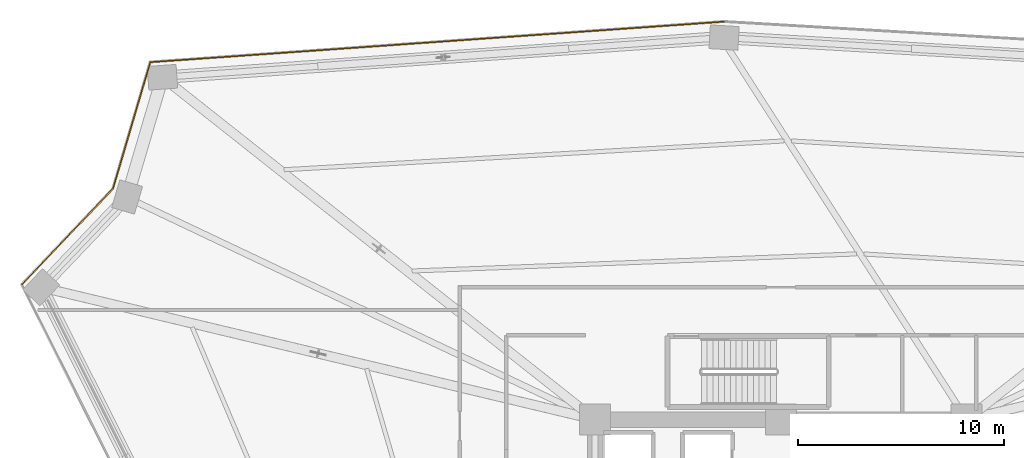
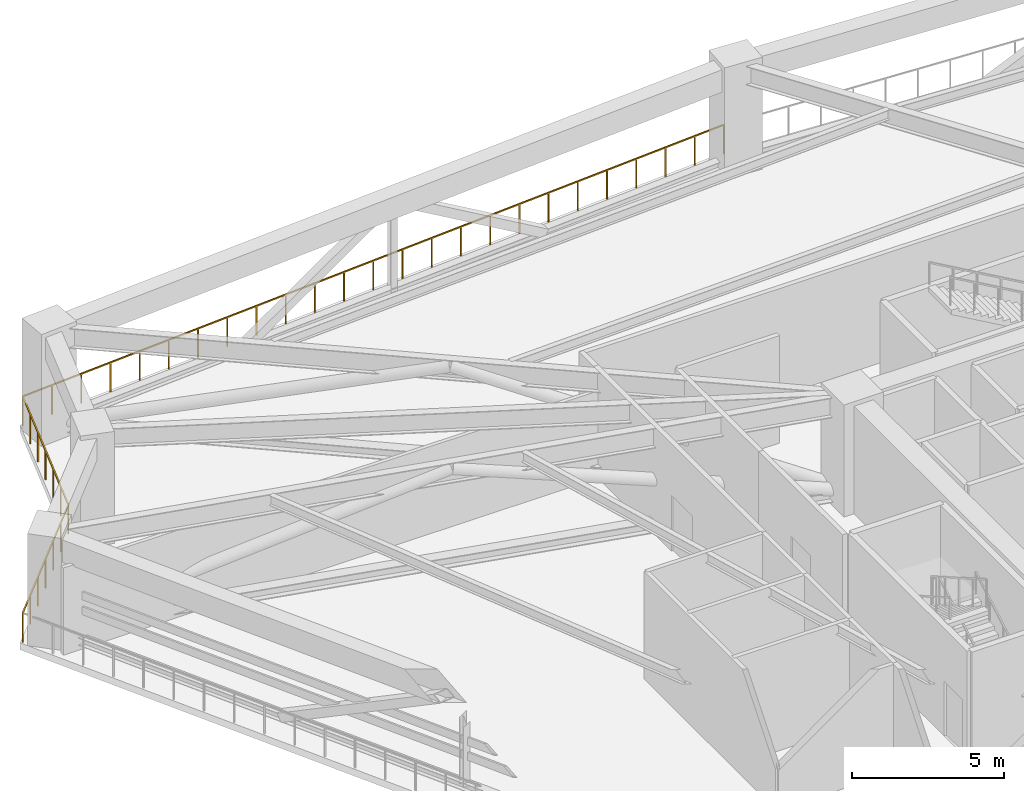
# One storey, part 21 of 23: 3 railings.
"""IFC4 building model written with IfcOpenShell, lengths in metres."""

import ifcopenshell
import ifcopenshell.guid

model = None  # the IFC model being written
_history = None  # IfcOwnerHistory: only IFC2X3 demands one
_inside = {}  # id of a spatial element -> (the spatial element, [elements in it])
_under = {}  # id of a project, library or spatial element -> (it, [spatial elements below it])
_declared = {}  # id of a project -> (the project, [libraries it declares])
_typed = {}  # id of a type object -> (the type object, [elements of that type])
_made_of = {}  # id of a material, layer set ... -> (it, [elements and type objects made of it])


def new_model(schema):
    """Start an empty IFC model of exactly this schema.

    Asked for "IFC4X3", IfcOpenShell would pick the latest addendum, in which some entities
    have other attributes; the version numbers below select the first issue.
    IFC2X3 requires an IfcOwnerHistory on every rooted entity: one is made here for all.
    """
    global model, _history
    if schema == "IFC4X3":
        model = ifcopenshell.file(schema_version=(4, 3, 0, 0))
    else:
        model = ifcopenshell.file(schema=schema)
    _inside.clear()
    _under.clear()
    _declared.clear()
    _typed.clear()
    _made_of.clear()
    _history = None
    if model.schema == "IFC2X3":
        org = make("IfcOrganization", Name="unknown")
        user = make(
            "IfcPersonAndOrganization",
            ThePerson=make("IfcPerson", FamilyName="unknown"),
            TheOrganization=org,
        )
        app = make(
            "IfcApplication",
            ApplicationDeveloper=org,
            Version="unknown",
            ApplicationFullName="unknown",
            ApplicationIdentifier="unknown",
        )
        _history = make(
            "IfcOwnerHistory",
            OwningUser=user,
            OwningApplication=app,
            ChangeAction="ADDED",
            CreationDate=0,
        )
    return model


def make(cls, **values):
    """One entity of the class cls with the attributes given. An attribute that is None is left unset."""
    return model.create_entity(
        cls, **{name: value for name, value in values.items() if value is not None}
    )


def rooted(cls, **values):
    """An entity with a GlobalId (a new one), such as an element, a storey or a relation."""
    return make(cls, GlobalId=ifcopenshell.guid.new(), OwnerHistory=_history, **values)


def si_unit(unit_type, name, prefix=None):
    """IfcSIUnit, for example si_unit("LENGTHUNIT", "METRE", prefix="MILLI")."""
    return make("IfcSIUnit", UnitType=unit_type, Prefix=prefix, Name=name)


def assignment(units):
    """IfcUnitAssignment: the units of a project."""
    return None if units is None else make("IfcUnitAssignment", Units=units)


def point(xyz):
    """IfcCartesianPoint."""
    return None if xyz is None else make("IfcCartesianPoint", Coordinates=xyz)


def direction(xyz):
    """IfcDirection."""
    return None if xyz is None else make("IfcDirection", DirectionRatios=xyz)


def frame(location, z_axis=None, x_axis=None):
    """IfcAxis2Placement3D, a coordinate frame: its origin and axes. An axis left out is left unset."""
    return make(
        "IfcAxis2Placement3D",
        Location=point(location),
        Axis=direction(z_axis),
        RefDirection=direction(x_axis),
    )


def frame_2d(location, x_axis=None):
    """IfcAxis2Placement2D, a coordinate frame in the plane: its origin and x axis."""
    return make(
        "IfcAxis2Placement2D", Location=point(location), RefDirection=direction(x_axis)
    )


def origin():
    """The frame at (0, 0, 0) with its axes left unset."""
    return frame((0.0, 0.0, 0.0))


def origin_2d():
    """The frame at (0, 0) in the plane with its x axis left unset."""
    return frame_2d((0.0, 0.0))


def place(relative_to, where):
    """IfcLocalPlacement: puts the frame where relative to a parent placement (None: the world)."""
    return make(
        "IfcLocalPlacement", PlacementRelTo=relative_to, RelativePlacement=where
    )


def context(
    kind, dimensions, precision=None, world=None, true_north=None, identifier=None
):
    """IfcGeometricRepresentationContext, for example the 3D "Model" context."""
    return make(
        "IfcGeometricRepresentationContext",
        ContextIdentifier=identifier,
        ContextType=kind,
        CoordinateSpaceDimension=dimensions,
        Precision=precision,
        WorldCoordinateSystem=world,
        TrueNorth=true_north,
    )


def subcontext(parent, identifier, kind, view, scale=None):
    """IfcGeometricRepresentationSubContext, for example "Body" below "Model"."""
    return make(
        "IfcGeometricRepresentationSubContext",
        ContextIdentifier=identifier,
        ContextType=kind,
        ParentContext=parent,
        TargetScale=scale,
        TargetView=view,
    )


def project(units=None, contexts=None):
    """IfcProject with its units and contexts."""
    return rooted(
        "IfcProject",
        Name="project",
        RepresentationContexts=contexts,
        UnitsInContext=assignment(units),
    )


def spatial(cls, under=None, at=None, **own):
    """A site, building, storey or space (cls), placed at a placement, below another one or the project."""
    s = rooted(cls, ObjectPlacement=at, **own)
    if under is not None:
        _under.setdefault(under.id(), (under, []))[1].append(s)
    return s


def profile(cls, at=None, kind="AREA", **sizes):
    """A parametric profile (cls). Its sizes go by their IFC names, for example OverallWidth=200.0."""
    return make(cls, ProfileType=kind, Position=at, **sizes)


def rectangle(**sizes):
    """IfcRectangleProfileDef."""
    return profile("IfcRectangleProfileDef", **sizes)


def extrude(swept, where, along, depth):
    """IfcExtrudedAreaSolid: the profile swept, set in the frame where, extruded along a direction by depth."""
    return make(
        "IfcExtrudedAreaSolid",
        SweptArea=swept,
        Position=where,
        ExtrudedDirection=direction(along),
        Depth=depth,
    )


def shape(context_of_items, identifier, shape_type, items):
    """IfcShapeRepresentation: the items that make up one representation, for example the "Body"."""
    return make(
        "IfcShapeRepresentation",
        ContextOfItems=context_of_items,
        RepresentationIdentifier=identifier,
        RepresentationType=shape_type,
        Items=items,
    )


def material(Name=None, Category=None):
    """IfcMaterial."""
    return make("IfcMaterial", Name=Name, Category=Category)


def made_of(thing, what):
    """Note that an element or type object is made of a material, layer set ...; save() writes the relation."""
    if what is not None:
        _made_of.setdefault(what.id(), (what, []))[1].append(thing)
    return thing


def type_object(cls, material=None, **own):
    """A type object (cls), such as IfcWallType, which elements share."""
    return made_of(rooted(cls, **own), material)


def element(
    cls,
    number,
    at=None,
    inside=None,
    cuts=None,
    type_object=None,
    material=None,
    context=None,
    identifier="Body",
    shape_type=None,
    held_by="IfcProductDefinitionShape",
    body=None,
    shapes=None,
    **own,
):
    """One element of the class cls, such as IfcWall. Its Tag is "e" and its number.

    at: its placement. inside: the storey or other place that contains it. cuts: it is an
    opening in that element (IfcRelVoidsElement). A single representation is given by context,
    identifier, shape_type and body (its items); several are given by shapes. held_by: the class
    of the entity that holds the representations. save() writes the other relations.
    """
    e = rooted(cls, Tag="e%d" % number, ObjectPlacement=at, **own)
    if body is not None:
        shapes = [shape(context, identifier, shape_type, body)]
    if shapes is not None:
        e.Representation = make(held_by, Representations=shapes)
    if inside is not None:
        _inside.setdefault(inside.id(), (inside, []))[1].append(e)
    if cuts is not None:
        rooted(
            "IfcRelVoidsElement", RelatingBuildingElement=cuts, RelatedOpeningElement=e
        )
    if type_object is not None:
        _typed.setdefault(type_object.id(), (type_object, []))[1].append(e)
    return made_of(e, material)


def aggregate(whole, parts):
    """IfcRelAggregates: a whole, such as a stair, and the parts it consists of."""
    return rooted("IfcRelAggregates", RelatingObject=whole, RelatedObjects=parts)


def save(model, path):
    """Write the relations noted so far, then the file.

    IfcRelAggregates (storeys below a building ...), IfcRelContainedInSpatialStructure (elements
    in a storey), IfcRelDefinesByType, IfcRelAssociatesMaterial and IfcRelDeclares: one each for
    every whole, place, type object, material and project.
    """
    for whole, parts in _under.values():
        aggregate(whole, parts)
    for where, things in _inside.values():
        rooted(
            "IfcRelContainedInSpatialStructure",
            RelatedElements=things,
            RelatingStructure=where,
        )
    for kind, things in _typed.values():
        rooted("IfcRelDefinesByType", RelatedObjects=things, RelatingType=kind)
    for what, things in _made_of.values():
        rooted("IfcRelAssociatesMaterial", RelatedObjects=things, RelatingMaterial=what)
    for by, libraries in _declared.values():
        rooted("IfcRelDeclares", RelatingContext=by, RelatedDefinitions=libraries)
    model.write(path)


model = new_model("IFC4")

# Units and contexts
model_context = context("Model", 3, precision=1e-05, world=origin(), true_north=direction((0.0, 1.0)))
body_context = subcontext(model_context, "Body", "Model", "MODEL_VIEW")
ifc_project = project(units=[si_unit("LENGTHUNIT", "METRE"), si_unit("AREAUNIT", "SQUARE_METRE"), si_unit("VOLUMEUNIT", "CUBIC_METRE"), si_unit("PLANEANGLEUNIT", "RADIAN"), si_unit("MASSUNIT", "GRAM", prefix="KILO")], contexts=[model_context])

# Site, building, storey
site_placement = place(None, origin())
site = spatial("IfcSite", under=ifc_project, at=site_placement, CompositionType="ELEMENT")
building_placement = place(site_placement, origin())
building = spatial("IfcBuilding", under=site, at=building_placement, Name="Liaohun Quay Tower", CompositionType="ELEMENT")
storey_placement = place(building_placement, frame((0.0, 0.0, 139.5)))
storey = spatial("IfcBuildingStorey", under=building, at=storey_placement, Name="L36", CompositionType="ELEMENT", Elevation=139.5)

# Railings
ifc_material = material(Name="Galvanised and powder-coated steel", Category="steel")
railing_type = type_object("IfcRailingType", Name="RLG-GUARD-EXT", PredefinedType="GUARDRAIL", material=ifc_material)
railing_1_placement = place(storey_placement, frame((23.239990234375, 68.048095703125, 0.0)))
element("IfcRailing", 1, at=railing_1_placement, inside=storey, type_object=railing_type, Name="L36 Open Refuge Band Perimeter Guardrail 03", PredefinedType="GUARDRAIL", context=body_context, shape_type="SweptSolid", body=[
    extrude(rectangle(XDim=0.048095703125, YDim=0.048095703125, at=origin_2d()), frame((0.0, 0.0, 1.17578125), z_axis=(0.689379523074, 0.724400354201, 0.0), x_axis=(-0.724400354201, 0.689379523074, 0.0)), (0.0, 0.0, 1.0), 6.392578125),
    extrude(rectangle(XDim=0.0419921875, YDim=0.0419921875, at=origin_2d()), origin(), (0.0, 0.0, 1.0), 1.15185546875),
    extrude(rectangle(XDim=0.0419921875, YDim=0.0419921875, at=origin_2d()), frame((0.734375, 0.771728515625, 0.0)), (0.0, 0.0, 1.0), 1.15185546875),
    extrude(rectangle(XDim=0.0419921875, YDim=0.0419921875, at=origin_2d()), frame((1.468994140625, 1.543701171875, 0.0)), (0.0, 0.0, 1.0), 1.15185546875),
    extrude(rectangle(XDim=0.0419921875, YDim=0.0419921875, at=origin_2d()), frame((2.20361328125, 2.3154296875, 0.0)), (0.0, 0.0, 1.0), 1.15185546875),
    extrude(rectangle(XDim=0.0419921875, YDim=0.0419921875, at=origin_2d()), frame((2.93798828125, 3.087158203125, 0.0)), (0.0, 0.0, 1.0), 1.15185546875),
    extrude(rectangle(XDim=0.0419921875, YDim=0.0419921875, at=origin_2d()), frame((3.67236328125, 3.859130859375, 0.0)), (0.0, 0.0, 1.0), 1.15185546875),
    extrude(rectangle(XDim=0.0419921875, YDim=0.0419921875, at=origin_2d()), frame((4.406982421875, 4.630859375, 0.0)), (0.0, 0.0, 1.0), 1.15185546875),
])
railing_2_placement = place(storey_placement, frame((27.64697265625, 72.678955078125, 0.0)))
element("IfcRailing", 2, at=railing_2_placement, inside=storey, type_object=railing_type, Name="L36 Open Refuge Band Perimeter Guardrail 04", PredefinedType="GUARDRAIL", context=body_context, shape_type="SweptSolid", body=[
    extrude(rectangle(XDim=0.048095703125, YDim=0.048095703125, at=origin_2d()), frame((0.0, 0.0, 1.17578125), z_axis=(0.282780227591, 0.959184728237, 0.0), x_axis=(-0.959184728237, 0.282780227591, 0.0)), (0.0, 0.0, 1.0), 6.39404296875),
    extrude(rectangle(XDim=0.0419921875, YDim=0.0419921875, at=origin_2d()), origin(), (0.0, 0.0, 1.0), 1.15185546875),
    extrude(rectangle(XDim=0.0419921875, YDim=0.0419921875, at=origin_2d()), frame((0.30126953125, 1.022216796875, 0.0)), (0.0, 0.0, 1.0), 1.15185546875),
    extrude(rectangle(XDim=0.0419921875, YDim=0.0419921875, at=origin_2d()), frame((0.602783203125, 2.04443359375, 0.0)), (0.0, 0.0, 1.0), 1.15185546875),
    extrude(rectangle(XDim=0.0419921875, YDim=0.0419921875, at=origin_2d()), frame((0.904052734375, 3.06640625, 0.0)), (0.0, 0.0, 1.0), 1.15185546875),
    extrude(rectangle(XDim=0.0419921875, YDim=0.0419921875, at=origin_2d()), frame((1.205322265625, 4.088623046875, 0.0)), (0.0, 0.0, 1.0), 1.15185546875),
    extrude(rectangle(XDim=0.0419921875, YDim=0.0419921875, at=origin_2d()), frame((1.5068359375, 5.11083984375, 0.0)), (0.0, 0.0, 1.0), 1.15185546875),
    extrude(rectangle(XDim=0.0419921875, YDim=0.0419921875, at=origin_2d()), frame((1.80810546875, 6.133056640625, 0.0)), (0.0, 0.0, 1.0), 1.15185546875),
])
railing_3_placement = place(storey_placement, frame((29.455078125, 78.81201171875, 0.0)))
element("IfcRailing", 3, at=railing_3_placement, inside=storey, type_object=railing_type, Name="L36 Open Refuge Band Perimeter Guardrail 05", PredefinedType="GUARDRAIL", context=body_context, shape_type="SweptSolid", body=[
    extrude(rectangle(XDim=0.048095703125, YDim=0.048095703125, at=origin_2d()), frame((0.0, 0.0, 1.17578125), z_axis=(0.997512328739, 0.070492226626, 0.0), x_axis=(-0.070492226626, 0.997512328739, 0.0)), (0.0, 0.0, 1.0), 27.859375),
    extrude(rectangle(XDim=0.0419921875, YDim=0.0419921875, at=origin_2d()), origin(), (0.0, 0.0, 1.0), 1.15185546875),
    extrude(rectangle(XDim=0.0419921875, YDim=0.0419921875, at=origin_2d()), frame((1.157958984375, 0.081787109375, 0.0)), (0.0, 0.0, 1.0), 1.15185546875),
    extrude(rectangle(XDim=0.0419921875, YDim=0.0419921875, at=origin_2d()), frame((2.31591796875, 0.16357421875, 0.0)), (0.0, 0.0, 1.0), 1.15185546875),
    extrude(rectangle(XDim=0.0419921875, YDim=0.0419921875, at=origin_2d()), frame((3.4736328125, 0.24560546875, 0.0)), (0.0, 0.0, 1.0), 1.15185546875),
    extrude(rectangle(XDim=0.0419921875, YDim=0.0419921875, at=origin_2d()), frame((4.631591796875, 0.327392578125, 0.0)), (0.0, 0.0, 1.0), 1.15185546875),
    extrude(rectangle(XDim=0.0419921875, YDim=0.0419921875, at=origin_2d()), frame((5.78955078125, 0.4091796875, 0.0)), (0.0, 0.0, 1.0), 1.15185546875),
    extrude(rectangle(XDim=0.0419921875, YDim=0.0419921875, at=origin_2d()), frame((6.947509765625, 0.490966796875, 0.0)), (0.0, 0.0, 1.0), 1.15185546875),
    extrude(rectangle(XDim=0.0419921875, YDim=0.0419921875, at=origin_2d()), frame((8.10546875, 0.57275390625, 0.0)), (0.0, 0.0, 1.0), 1.15185546875),
    extrude(rectangle(XDim=0.0419921875, YDim=0.0419921875, at=origin_2d()), frame((9.263427734375, 0.654541015625, 0.0)), (0.0, 0.0, 1.0), 1.15185546875),
    extrude(rectangle(XDim=0.0419921875, YDim=0.0419921875, at=origin_2d()), frame((10.42138671875, 0.736328125, 0.0)), (0.0, 0.0, 1.0), 1.15185546875),
    extrude(rectangle(XDim=0.0419921875, YDim=0.0419921875, at=origin_2d()), frame((11.5791015625, 0.818359375, 0.0)), (0.0, 0.0, 1.0), 1.15185546875),
    extrude(rectangle(XDim=0.0419921875, YDim=0.0419921875, at=origin_2d()), frame((12.737060546875, 0.900146484375, 0.0)), (0.0, 0.0, 1.0), 1.15185546875),
    extrude(rectangle(XDim=0.0419921875, YDim=0.0419921875, at=origin_2d()), frame((13.89501953125, 0.98193359375, 0.0)), (0.0, 0.0, 1.0), 1.15185546875),
    extrude(rectangle(XDim=0.0419921875, YDim=0.0419921875, at=origin_2d()), frame((15.052978515625, 1.063720703125, 0.0)), (0.0, 0.0, 1.0), 1.15185546875),
    extrude(rectangle(XDim=0.0419921875, YDim=0.0419921875, at=origin_2d()), frame((16.2109375, 1.1455078125, 0.0)), (0.0, 0.0, 1.0), 1.15185546875),
    extrude(rectangle(XDim=0.0419921875, YDim=0.0419921875, at=origin_2d()), frame((17.36865234375, 1.2275390625, 0.0)), (0.0, 0.0, 1.0), 1.15185546875),
    extrude(rectangle(XDim=0.0419921875, YDim=0.0419921875, at=origin_2d()), frame((18.526611328125, 1.309326171875, 0.0)), (0.0, 0.0, 1.0), 1.15185546875),
    extrude(rectangle(XDim=0.0419921875, YDim=0.0419921875, at=origin_2d()), frame((19.6845703125, 1.39111328125, 0.0)), (0.0, 0.0, 1.0), 1.15185546875),
    extrude(rectangle(XDim=0.0419921875, YDim=0.0419921875, at=origin_2d()), frame((20.842529296875, 1.472900390625, 0.0)), (0.0, 0.0, 1.0), 1.15185546875),
    extrude(rectangle(XDim=0.0419921875, YDim=0.0419921875, at=origin_2d()), frame((22.00048828125, 1.5546875, 0.0)), (0.0, 0.0, 1.0), 1.15185546875),
    extrude(rectangle(XDim=0.0419921875, YDim=0.0419921875, at=origin_2d()), frame((23.158447265625, 1.636474609375, 0.0)), (0.0, 0.0, 1.0), 1.15185546875),
    extrude(rectangle(XDim=0.0419921875, YDim=0.0419921875, at=origin_2d()), frame((24.31640625, 1.71826171875, 0.0)), (0.0, 0.0, 1.0), 1.15185546875),
    extrude(rectangle(XDim=0.0419921875, YDim=0.0419921875, at=origin_2d()), frame((25.47412109375, 1.80029296875, 0.0)), (0.0, 0.0, 1.0), 1.15185546875),
    extrude(rectangle(XDim=0.0419921875, YDim=0.0419921875, at=origin_2d()), frame((26.632080078125, 1.882080078125, 0.0)), (0.0, 0.0, 1.0), 1.15185546875),
    extrude(rectangle(XDim=0.0419921875, YDim=0.0419921875, at=origin_2d()), frame((27.7900390625, 1.9638671875, 0.0)), (0.0, 0.0, 1.0), 1.15185546875),
])

save(model, "model.ifc")
